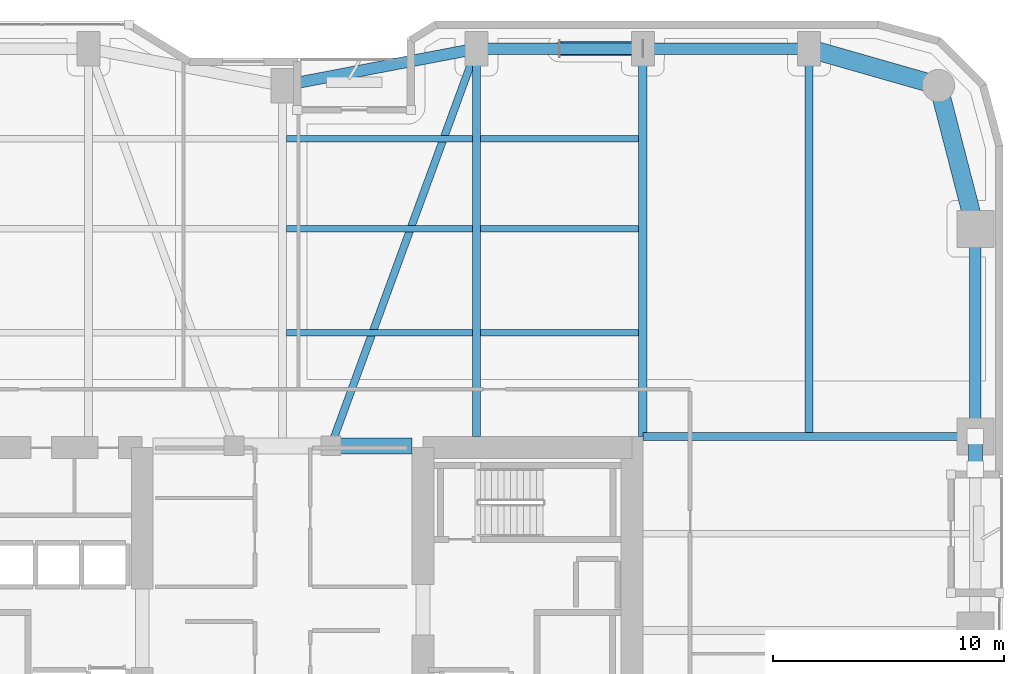
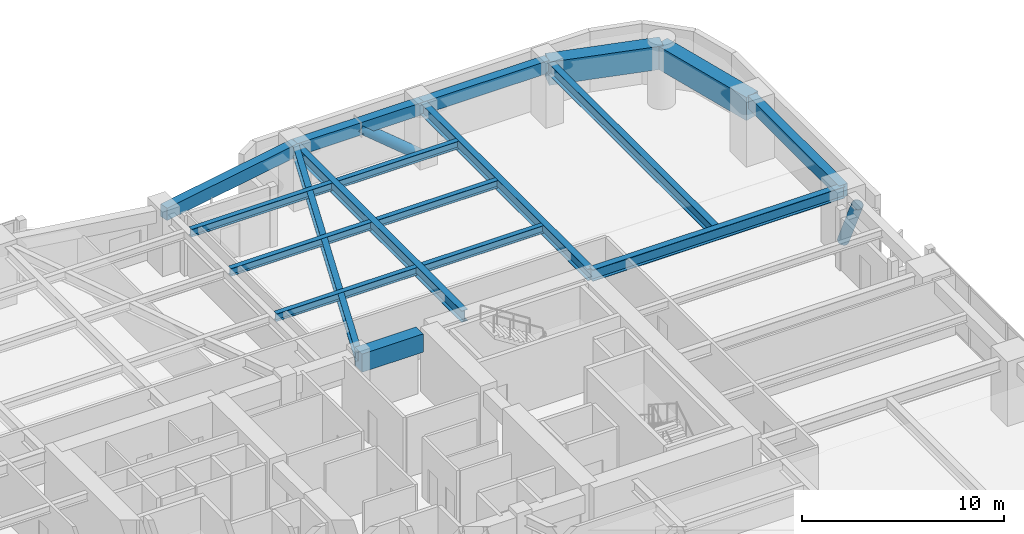
# One storey, part 18 of 29: 18 beams, 2 members.
"""IFC4 building model written with IfcOpenShell, lengths in metres."""

from ifc_helpers import new_model, si_unit, direction, frame, origin, origin_2d, place, context, subcontext, project, spatial, rectangle, hollow_circle, i_section, extrude, material, material_profile, profile_set, type_object, element, save


model = new_model("IFC4")

# Units and contexts
model_context = context("Model", 3, precision=1e-05, world=origin(), true_north=direction((0.0, 1.0)))
body_context = subcontext(model_context, "Body", "Model", "MODEL_VIEW")
ifc_project = project(units=[si_unit("LENGTHUNIT", "METRE"), si_unit("AREAUNIT", "SQUARE_METRE"), si_unit("VOLUMEUNIT", "CUBIC_METRE"), si_unit("PLANEANGLEUNIT", "RADIAN"), si_unit("MASSUNIT", "GRAM", prefix="KILO")], contexts=[model_context])

# Site, building, storey
site_placement = place(None, origin())
site = spatial("IfcSite", under=ifc_project, at=site_placement, CompositionType="ELEMENT")
building_placement = place(site_placement, origin())
building = spatial("IfcBuilding", under=site, at=building_placement, Name="Kiyonajd Concourse Tower", CompositionType="ELEMENT")
storey_placement = place(building_placement, frame((0.0, 0.0, 29.39990234375)))
storey = spatial("IfcBuildingStorey", under=building, at=storey_placement, Name="L08", CompositionType="ELEMENT", Elevation=29.39990234375)

# Beams
ifc_material_1 = material(Name="Concrete C70/85", Category="concrete")
ifc_material_profile_1 = material_profile(ifc_material_1, rectangle(XDim=0.699951171875, YDim=1.10009765625, at=origin_2d()), Name="RCBM-700x1100")
ifc_profile_set_1 = profile_set([ifc_material_profile_1], Name="Concrete C70/85")
beam_type_1 = type_object("IfcBeamType", Name="BM-COUP-1100", PredefinedType="LINTEL", material=ifc_profile_set_1)
beam_1_placement = place(storey_placement, frame((50.10009765625, 44.0, 3.090087890625), z_axis=(1.0, 0.0, 0.0), x_axis=(0.0, 1.0, 0.0)))
element("IfcBeam", 1, at=beam_1_placement, inside=storey, type_object=beam_type_1, Name="L08 Core Coupling Beam N3", PredefinedType="LINTEL", context=body_context, shape_type="SweptSolid", body=[
    extrude(rectangle(XDim=0.699951171875, YDim=1.10009765625, at=origin_2d()), origin(), (0.0, 0.0, 1.0), 3.5),
])
ifc_material_2 = material(Name="Steel ASTM A992 Grade 50", Category="steel")
ifc_material_profile_2 = material_profile(ifc_material_2, i_section(OverallWidth=0.280029296875, OverallDepth=0.462890625, WebThickness=0.0107421875, FlangeThickness=0.017333984375, at=origin_2d()), Name="W460X113")
ifc_profile_set_2 = profile_set([ifc_material_profile_2], Name="Steel ASTM A992 Grade 50")
beam_type_2 = type_object("IfcBeamType", Name="BM-JST-460A", PredefinedType="JOIST", material=ifc_profile_set_2)
beam_2_placement = place(storey_placement, frame((48.177490234375, 48.89990234375, 3.40869140625), z_axis=(1.0, 0.0, 0.0), x_axis=(0.0, 1.0, 0.0)))
element("IfcBeam", 2, at=beam_2_placement, inside=storey, type_object=beam_type_2, Name="L08 Secondary Floor Joist", PredefinedType="JOIST", context=body_context, shape_type="SweptSolid", body=[
    extrude(i_section(OverallWidth=0.280029296875, OverallDepth=0.462890625, WebThickness=0.0107421875, FlangeThickness=0.017333984375, at=origin_2d()), origin(), (0.0, 0.0, 1.0), 8.044921875),
])
beam_3_placement = place(storey_placement, frame((56.577392578125, 48.89990234375, 3.40869140625), z_axis=(1.0, 0.0, 0.0), x_axis=(0.0, 1.0, 0.0)))
element("IfcBeam", 3, at=beam_3_placement, inside=storey, type_object=beam_type_2, Name="L08 Secondary Floor Joist", PredefinedType="JOIST", context=body_context, shape_type="SweptSolid", body=[
    extrude(i_section(OverallWidth=0.280029296875, OverallDepth=0.462890625, WebThickness=0.0107421875, FlangeThickness=0.017333984375, at=origin_2d()), origin(), (0.0, 0.0, 1.0), 6.84521484375),
])
beam_4_placement = place(storey_placement, frame((48.177490234375, 53.39990234375, 3.40869140625), z_axis=(1.0, 0.0, 0.0), x_axis=(0.0, 1.0, 0.0)))
element("IfcBeam", 4, at=beam_4_placement, inside=storey, type_object=beam_type_2, Name="L08 Secondary Floor Joist", PredefinedType="JOIST", context=body_context, shape_type="SweptSolid", body=[
    extrude(i_section(OverallWidth=0.280029296875, OverallDepth=0.462890625, WebThickness=0.0107421875, FlangeThickness=0.017333984375, at=origin_2d()), origin(), (0.0, 0.0, 1.0), 8.044921875),
])
beam_5_placement = place(storey_placement, frame((56.577392578125, 53.39990234375, 3.40869140625), z_axis=(1.0, 0.0, 0.0), x_axis=(0.0, 1.0, 0.0)))
element("IfcBeam", 5, at=beam_5_placement, inside=storey, type_object=beam_type_2, Name="L08 Secondary Floor Joist", PredefinedType="JOIST", context=body_context, shape_type="SweptSolid", body=[
    extrude(i_section(OverallWidth=0.280029296875, OverallDepth=0.462890625, WebThickness=0.0107421875, FlangeThickness=0.017333984375, at=origin_2d()), origin(), (0.0, 0.0, 1.0), 6.84521484375),
])
beam_6_placement = place(storey_placement, frame((48.177490234375, 57.300048828125, 3.40869140625), z_axis=(1.0, 0.0, 0.0), x_axis=(0.0, 1.0, 0.0)))
element("IfcBeam", 6, at=beam_6_placement, inside=storey, type_object=beam_type_2, Name="L08 Secondary Floor Joist", PredefinedType="JOIST", context=body_context, shape_type="SweptSolid", body=[
    extrude(i_section(OverallWidth=0.280029296875, OverallDepth=0.462890625, WebThickness=0.0107421875, FlangeThickness=0.017333984375, at=origin_2d()), origin(), (0.0, 0.0, 1.0), 8.044921875),
])
beam_7_placement = place(storey_placement, frame((56.577392578125, 57.300048828125, 3.40869140625), z_axis=(1.0, 0.0, 0.0), x_axis=(0.0, 1.0, 0.0)))
element("IfcBeam", 7, at=beam_7_placement, inside=storey, type_object=beam_type_2, Name="L08 Secondary Floor Joist", PredefinedType="JOIST", context=body_context, shape_type="SweptSolid", body=[
    extrude(i_section(OverallWidth=0.280029296875, OverallDepth=0.462890625, WebThickness=0.0107421875, FlangeThickness=0.017333984375, at=origin_2d()), origin(), (0.0, 0.0, 1.0), 6.84521484375),
])
ifc_material_3 = material(Name="Precast concrete C50/60", Category="concrete")
ifc_material_profile_3 = material_profile(ifc_material_3, rectangle(XDim=0.5, YDim=0.75, at=origin_2d()), Name="RCBM-500x750")
ifc_profile_set_3 = profile_set([ifc_material_profile_3], Name="Precast concrete C50/60")
beam_type_3 = type_object("IfcBeamType", Name="BM-SPAN-RC", PredefinedType="SPANDREL", material=ifc_profile_set_3)
beam_8_placement = place(storey_placement, frame((78.0, 44.39990234375, 3.26513671875), z_axis=(0.0, 1.0, 0.0), x_axis=(-1.0, 0.0, 0.0)))
element("IfcBeam", 8, at=beam_8_placement, inside=storey, type_object=beam_type_3, Name="L08 Perimeter Bundled Tube Spandrel", PredefinedType="SPANDREL", context=body_context, shape_type="SweptSolid", body=[
    extrude(rectangle(XDim=0.5, YDim=0.75, at=origin_2d()), origin(), (0.0, 0.0, 1.0), 9.0),
])
beam_9_placement = place(storey_placement, frame((70.800048828125, 61.199951171875, 3.26513671875), z_axis=(-1.0, 0.0, 0.0), x_axis=(0.0, -1.0, 0.0)))
element("IfcBeam", 9, at=beam_9_placement, inside=storey, type_object=beam_type_3, Name="L08 Perimeter Bundled Tube Spandrel", PredefinedType="SPANDREL", context=body_context, shape_type="SweptSolid", body=[
    extrude(rectangle(XDim=0.5, YDim=0.75, at=origin_2d()), origin(), (0.0, 0.0, 1.0), 7.199951171875),
])
beam_10_placement = place(storey_placement, frame((63.60009765625, 61.199951171875, 3.26513671875), z_axis=(-1.0, 0.0, 0.0), x_axis=(0.0, -1.0, 0.0)))
element("IfcBeam", 10, at=beam_10_placement, inside=storey, type_object=beam_type_3, Name="L08 Perimeter Bundled Tube Spandrel", PredefinedType="SPANDREL", context=body_context, shape_type="SweptSolid", body=[
    extrude(rectangle(XDim=0.5, YDim=0.75, at=origin_2d()), origin(), (0.0, 0.0, 1.0), 7.2001953125),
])
beam_11_placement = place(storey_placement, frame((56.39990234375, 61.199951171875, 3.26513671875), z_axis=(-0.982341315253, -0.187097675953, 0.0), x_axis=(0.187097675953, -0.982341315253, 0.0)))
element("IfcBeam", 11, at=beam_11_placement, inside=storey, type_object=beam_type_3, Name="L08 Perimeter Bundled Tube Spandrel", PredefinedType="SPANDREL", context=body_context, shape_type="SweptSolid", body=[
    extrude(rectangle(XDim=0.5, YDim=0.75, at=origin_2d()), origin(), (0.0, 0.0, 1.0), 8.55078125),
])
ifc_material_profile_4 = material_profile(ifc_material_2, i_section(OverallWidth=0.326904296875, OverallDepth=0.6220703125, WebThickness=0.015380859375, FlangeThickness=0.0244140625, at=origin_2d()), Name="W610X195")
ifc_profile_set_4 = profile_set([ifc_material_profile_4], Name="Steel ASTM A992 Grade 50")
beam_type_4 = type_object("IfcBeamType", Name="BM-TWR-610A", PredefinedType="BEAM", material=ifc_profile_set_4)
beam_12_placement = place(storey_placement, frame((50.10009765625, 44.0, 3.3291015625), z_axis=(0.343925269715, 0.938997022813, 0.0), x_axis=(-0.938997022813, 0.343925269715, 0.0)))
element("IfcBeam", 12, at=beam_12_placement, inside=storey, type_object=beam_type_4, Name="L08 Core Tie Girder", PredefinedType="BEAM", context=body_context, shape_type="SweptSolid", body=[
    extrude(i_section(OverallWidth=0.326904296875, OverallDepth=0.6220703125, WebThickness=0.015380859375, FlangeThickness=0.0244140625, at=origin_2d()), origin(), (0.0, 0.0, 1.0), 18.3173828125),
])
ifc_material_profile_5 = material_profile(ifc_material_2, i_section(OverallWidth=0.35498046875, OverallDepth=0.695068359375, WebThickness=0.015380859375, FlangeThickness=0.02490234375, at=origin_2d()), Name="W690X217")
ifc_profile_set_5 = profile_set([ifc_material_profile_5], Name="Steel ASTM A992 Grade 50")
beam_type_5 = type_object("IfcBeamType", Name="BM-TWR-690", PredefinedType="BEAM", material=ifc_profile_set_5)
for number, where, z_axis, x_axis, name in (
    (13, (56.39990234375, 44.39990234375, 3.29248046875), (0.0, 1.0, 0.0), (-1.0, 0.0, 0.0), "L08 North Lease Girder"),
    (14, (63.60009765625, 44.39990234375, 3.29248046875), (0.0, 1.0, 0.0), (-1.0, 0.0, 0.0), "L08 North Lease Girder"),
    (15, (70.800048828125, 44.39990234375, 3.29248046875), (0.0, 1.0, 0.0), (-1.0, 0.0, 0.0), "L08 North Lease Girder"),
):
    element("IfcBeam", number, at=place(storey_placement, frame(where, z_axis=z_axis, x_axis=x_axis)), inside=storey, type_object=beam_type_5, Name=name, PredefinedType="BEAM", context=body_context, shape_type="SweptSolid", body=[
        extrude(i_section(OverallWidth=0.35498046875, OverallDepth=0.695068359375, WebThickness=0.015380859375, FlangeThickness=0.02490234375, at=origin_2d()), origin(), (0.0, 0.0, 1.0), 16.800048828125),
    ])
beam_13_placement = place(storey_placement, frame((63.60009765625, 44.39990234375, 3.29248046875), z_axis=(1.0, 0.0, 0.0), x_axis=(0.0, 1.0, 0.0)))
element("IfcBeam", 16, at=beam_13_placement, inside=storey, type_object=beam_type_5, Name="L08 East Lease Girder", PredefinedType="BEAM", context=body_context, shape_type="SweptSolid", body=[
    extrude(i_section(OverallWidth=0.35498046875, OverallDepth=0.695068359375, WebThickness=0.015380859375, FlangeThickness=0.02490234375, at=origin_2d()), origin(), (0.0, 0.0, 1.0), 14.39990234375),
])
ifc_material_4 = material(Name="Concrete C60/75", Category="concrete")
ifc_material_profile_6 = material_profile(ifc_material_4, rectangle(XDim=0.800048828125, YDim=1.39990234375, at=origin_2d()), Name="RCBM-800x1400")
ifc_profile_set_6 = profile_set([ifc_material_profile_6], Name="Concrete C60/75")
beam_type_6 = type_object("IfcBeamType", Name="BM-XFER-RC", PredefinedType="BEAM", material=ifc_profile_set_6)
beam_14_placement = place(storey_placement, frame((78.0, 53.39990234375, 2.940185546875), z_axis=(-0.249884937687, 0.968275538221, 0.0), x_axis=(-0.968275538221, -0.249884937687, 0.0)))
element("IfcBeam", 17, at=beam_14_placement, inside=storey, type_object=beam_type_6, Name="L08 Perimeter Bundled Tube Spandrel", PredefinedType="BEAM", context=body_context, shape_type="SweptSolid", body=[
    extrude(rectangle(XDim=0.800048828125, YDim=1.39990234375, at=origin_2d()), origin(), (0.0, 0.0, 1.0), 6.4033203125),
])
beam_15_placement = place(storey_placement, frame((76.39990234375, 59.60009765625, 2.940185546875), z_axis=(-0.961528693205, 0.274704517878, 0.0), x_axis=(-0.274704517878, -0.961528693205, 0.0)))
element("IfcBeam", 18, at=beam_15_placement, inside=storey, type_object=beam_type_6, Name="L08 Perimeter Bundled Tube Spandrel", PredefinedType="BEAM", context=body_context, shape_type="SweptSolid", body=[
    extrude(rectangle(XDim=0.800048828125, YDim=1.39990234375, at=origin_2d()), origin(), (0.0, 0.0, 1.0), 5.823974609375),
])

# Members
ifc_material_5 = material(Name="Steel ASTM A572 Grade 50", Category="steel")
ifc_material_profile_7 = material_profile(ifc_material_5, hollow_circle(Radius=0.304931640625, WallThickness=0.02490234375, at=origin_2d()), Name="CHS-610x25")
ifc_profile_set_7 = profile_set([ifc_material_profile_7], Name="Steel ASTM A572 Grade 50")
member_type = type_object("IfcMemberType", Name="MB-PB-LOW", PredefinedType="BRACE", material=ifc_profile_set_7)
member_1_placement = place(storey_placement, frame((63.60009765625, 61.199951171875, 0.300048828125), z_axis=(-0.769280705518, 0.0, 0.638910945373), x_axis=(0.0, -1.0, 0.0)))
element("IfcMember", 19, at=member_1_placement, inside=storey, type_object=member_type, Name="L08 Lower Zone Welded Tube Brace PBN", PredefinedType="BRACE", context=body_context, shape_type="SweptSolid", body=[
    extrude(hollow_circle(Radius=0.304931640625, WallThickness=0.02490234375, at=origin_2d()), origin(), (0.0, 0.0, 1.0), 4.679931640625),
])
member_2_placement = place(storey_placement, frame((78.0, 44.39990234375, 0.300048828125), z_axis=(0.0, -0.424022702926, 0.905651559598), x_axis=(1.0, 0.0, 0.0)))
element("IfcMember", 20, at=member_2_placement, inside=storey, type_object=member_type, Name="L08 Lower Zone Welded Tube Brace PBE", PredefinedType="BRACE", context=body_context, shape_type="SweptSolid", body=[
    extrude(hollow_circle(Radius=0.304931640625, WallThickness=0.02490234375, at=origin_2d()), origin(), (0.0, 0.0, 1.0), 3.301513671875),
])

save(model, "model.ifc")
